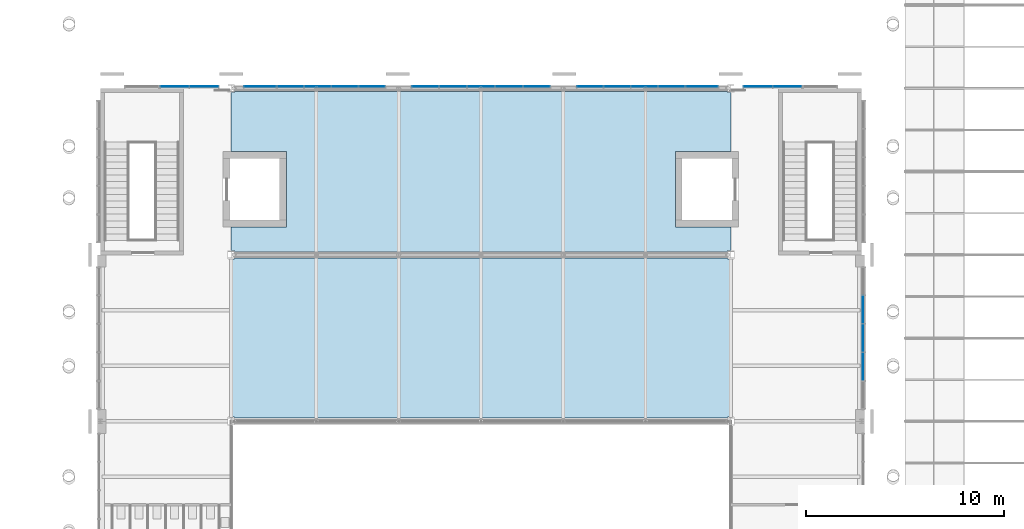
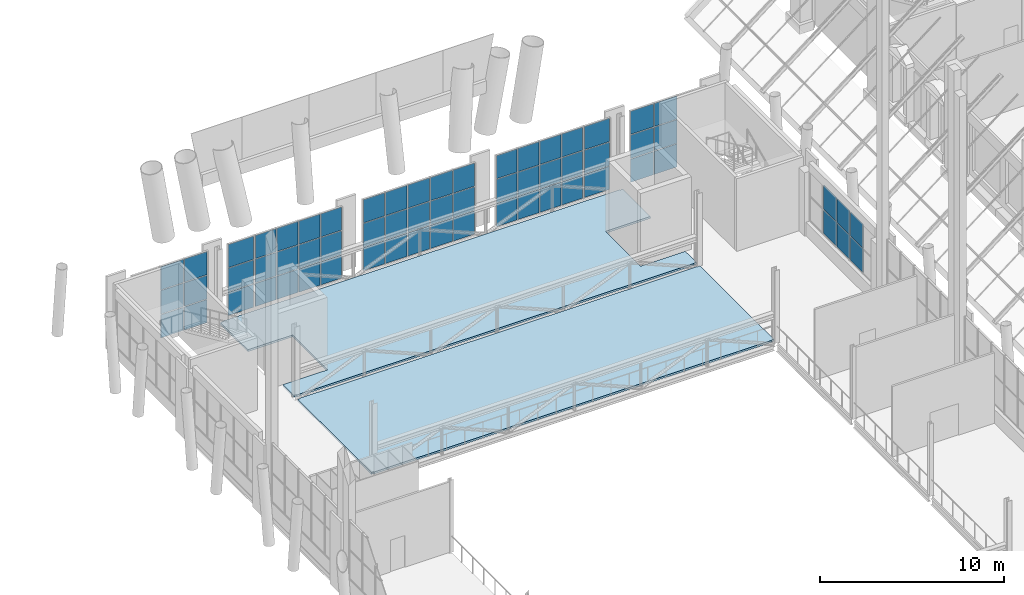
# One storey, part 44 of 76: 63 plates, 2 slabs, 8 elements without a shape of their own.
"""IFC4 building model written with IfcOpenShell, lengths in metres."""

import ifcopenshell
import ifcopenshell.guid

model = None  # the IFC model being written
_history = None  # IfcOwnerHistory: only IFC2X3 demands one
_inside = {}  # id of a spatial element -> (the spatial element, [elements in it])
_under = {}  # id of a project, library or spatial element -> (it, [spatial elements below it])
_declared = {}  # id of a project -> (the project, [libraries it declares])
_typed = {}  # id of a type object -> (the type object, [elements of that type])
_made_of = {}  # id of a material, layer set ... -> (it, [elements and type objects made of it])


def new_model(schema):
    """Start an empty IFC model of exactly this schema.

    Asked for "IFC4X3", IfcOpenShell would pick the latest addendum, in which some entities
    have other attributes; the version numbers below select the first issue.
    IFC2X3 requires an IfcOwnerHistory on every rooted entity: one is made here for all.
    """
    global model, _history
    if schema == "IFC4X3":
        model = ifcopenshell.file(schema_version=(4, 3, 0, 0))
    else:
        model = ifcopenshell.file(schema=schema)
    _inside.clear()
    _under.clear()
    _declared.clear()
    _typed.clear()
    _made_of.clear()
    _history = None
    if model.schema == "IFC2X3":
        org = make("IfcOrganization", Name="unknown")
        user = make(
            "IfcPersonAndOrganization",
            ThePerson=make("IfcPerson", FamilyName="unknown"),
            TheOrganization=org,
        )
        app = make(
            "IfcApplication",
            ApplicationDeveloper=org,
            Version="unknown",
            ApplicationFullName="unknown",
            ApplicationIdentifier="unknown",
        )
        _history = make(
            "IfcOwnerHistory",
            OwningUser=user,
            OwningApplication=app,
            ChangeAction="ADDED",
            CreationDate=0,
        )
    return model


def make(cls, **values):
    """One entity of the class cls with the attributes given. An attribute that is None is left unset."""
    return model.create_entity(
        cls, **{name: value for name, value in values.items() if value is not None}
    )


def rooted(cls, **values):
    """An entity with a GlobalId (a new one), such as an element, a storey or a relation."""
    return make(cls, GlobalId=ifcopenshell.guid.new(), OwnerHistory=_history, **values)


def si_unit(unit_type, name, prefix=None):
    """IfcSIUnit, for example si_unit("LENGTHUNIT", "METRE", prefix="MILLI")."""
    return make("IfcSIUnit", UnitType=unit_type, Prefix=prefix, Name=name)


def assignment(units):
    """IfcUnitAssignment: the units of a project."""
    return None if units is None else make("IfcUnitAssignment", Units=units)


def point(xyz):
    """IfcCartesianPoint."""
    return None if xyz is None else make("IfcCartesianPoint", Coordinates=xyz)


def direction(xyz):
    """IfcDirection."""
    return None if xyz is None else make("IfcDirection", DirectionRatios=xyz)


def frame(location, z_axis=None, x_axis=None):
    """IfcAxis2Placement3D, a coordinate frame: its origin and axes. An axis left out is left unset."""
    return make(
        "IfcAxis2Placement3D",
        Location=point(location),
        Axis=direction(z_axis),
        RefDirection=direction(x_axis),
    )


def frame_2d(location, x_axis=None):
    """IfcAxis2Placement2D, a coordinate frame in the plane: its origin and x axis."""
    return make(
        "IfcAxis2Placement2D", Location=point(location), RefDirection=direction(x_axis)
    )


def origin():
    """The frame at (0, 0, 0) with its axes left unset."""
    return frame((0.0, 0.0, 0.0))


def origin_2d():
    """The frame at (0, 0) in the plane with its x axis left unset."""
    return frame_2d((0.0, 0.0))


def place(relative_to, where):
    """IfcLocalPlacement: puts the frame where relative to a parent placement (None: the world)."""
    return make(
        "IfcLocalPlacement", PlacementRelTo=relative_to, RelativePlacement=where
    )


def context(
    kind, dimensions, precision=None, world=None, true_north=None, identifier=None
):
    """IfcGeometricRepresentationContext, for example the 3D "Model" context."""
    return make(
        "IfcGeometricRepresentationContext",
        ContextIdentifier=identifier,
        ContextType=kind,
        CoordinateSpaceDimension=dimensions,
        Precision=precision,
        WorldCoordinateSystem=world,
        TrueNorth=true_north,
    )


def subcontext(parent, identifier, kind, view, scale=None):
    """IfcGeometricRepresentationSubContext, for example "Body" below "Model"."""
    return make(
        "IfcGeometricRepresentationSubContext",
        ContextIdentifier=identifier,
        ContextType=kind,
        ParentContext=parent,
        TargetScale=scale,
        TargetView=view,
    )


def project(units=None, contexts=None):
    """IfcProject with its units and contexts."""
    return rooted(
        "IfcProject",
        Name="project",
        RepresentationContexts=contexts,
        UnitsInContext=assignment(units),
    )


def spatial(cls, under=None, at=None, **own):
    """A site, building, storey or space (cls), placed at a placement, below another one or the project."""
    s = rooted(cls, ObjectPlacement=at, **own)
    if under is not None:
        _under.setdefault(under.id(), (under, []))[1].append(s)
    return s


def polyline(points):
    """IfcPolyline through the points."""
    return make("IfcPolyline", Points=[point(p) for p in points])


def profile(cls, at=None, kind="AREA", **sizes):
    """A parametric profile (cls). Its sizes go by their IFC names, for example OverallWidth=200.0."""
    return make(cls, ProfileType=kind, Position=at, **sizes)


def rectangle(**sizes):
    """IfcRectangleProfileDef."""
    return profile("IfcRectangleProfileDef", **sizes)


def outline(outer, holes=None, kind="AREA"):
    """IfcArbitraryClosedProfileDef: a profile drawn as a closed curve; with holes, ...WithVoids."""
    if holes is None:
        return make("IfcArbitraryClosedProfileDef", ProfileType=kind, OuterCurve=outer)
    return make(
        "IfcArbitraryProfileDefWithVoids",
        ProfileType=kind,
        OuterCurve=outer,
        InnerCurves=holes,
    )


def extrude(swept, where, along, depth):
    """IfcExtrudedAreaSolid: the profile swept, set in the frame where, extruded along a direction by depth."""
    return make(
        "IfcExtrudedAreaSolid",
        SweptArea=swept,
        Position=where,
        ExtrudedDirection=direction(along),
        Depth=depth,
    )


def shape(context_of_items, identifier, shape_type, items):
    """IfcShapeRepresentation: the items that make up one representation, for example the "Body"."""
    return make(
        "IfcShapeRepresentation",
        ContextOfItems=context_of_items,
        RepresentationIdentifier=identifier,
        RepresentationType=shape_type,
        Items=items,
    )


def material(Name=None, Category=None):
    """IfcMaterial."""
    return make("IfcMaterial", Name=Name, Category=Category)


def layer(
    of_material, thickness, ventilated=None, Name=None, Category=None, Priority=None
):
    """IfcMaterialLayer: one layer of a wall or slab, of a material (None: an air gap)."""
    return make(
        "IfcMaterialLayer",
        Material=of_material,
        LayerThickness=thickness,
        IsVentilated=ventilated,
        Name=Name,
        Category=Category,
        Priority=Priority,
    )


def layer_set(layers, Name=None):
    """IfcMaterialLayerSet."""
    return make("IfcMaterialLayerSet", MaterialLayers=layers, LayerSetName=Name)


def made_of(thing, what):
    """Note that an element or type object is made of a material, layer set ...; save() writes the relation."""
    if what is not None:
        _made_of.setdefault(what.id(), (what, []))[1].append(thing)
    return thing


def type_object(cls, material=None, **own):
    """A type object (cls), such as IfcWallType, which elements share."""
    return made_of(rooted(cls, **own), material)


def element(
    cls,
    number,
    at=None,
    inside=None,
    cuts=None,
    type_object=None,
    material=None,
    context=None,
    identifier="Body",
    shape_type=None,
    held_by="IfcProductDefinitionShape",
    body=None,
    shapes=None,
    **own,
):
    """One element of the class cls, such as IfcWall. Its Tag is "e" and its number.

    at: its placement. inside: the storey or other place that contains it. cuts: it is an
    opening in that element (IfcRelVoidsElement). A single representation is given by context,
    identifier, shape_type and body (its items); several are given by shapes. held_by: the class
    of the entity that holds the representations. save() writes the other relations.
    """
    e = rooted(cls, Tag="e%d" % number, ObjectPlacement=at, **own)
    if body is not None:
        shapes = [shape(context, identifier, shape_type, body)]
    if shapes is not None:
        e.Representation = make(held_by, Representations=shapes)
    if inside is not None:
        _inside.setdefault(inside.id(), (inside, []))[1].append(e)
    if cuts is not None:
        rooted(
            "IfcRelVoidsElement", RelatingBuildingElement=cuts, RelatedOpeningElement=e
        )
    if type_object is not None:
        _typed.setdefault(type_object.id(), (type_object, []))[1].append(e)
    return made_of(e, material)


def aggregate(whole, parts):
    """IfcRelAggregates: a whole, such as a stair, and the parts it consists of."""
    return rooted("IfcRelAggregates", RelatingObject=whole, RelatedObjects=parts)


def save(model, path):
    """Write the relations noted so far, then the file.

    IfcRelAggregates (storeys below a building ...), IfcRelContainedInSpatialStructure (elements
    in a storey), IfcRelDefinesByType, IfcRelAssociatesMaterial and IfcRelDeclares: one each for
    every whole, place, type object, material and project.
    """
    for whole, parts in _under.values():
        aggregate(whole, parts)
    for where, things in _inside.values():
        rooted(
            "IfcRelContainedInSpatialStructure",
            RelatedElements=things,
            RelatingStructure=where,
        )
    for kind, things in _typed.values():
        rooted("IfcRelDefinesByType", RelatedObjects=things, RelatingType=kind)
    for what, things in _made_of.values():
        rooted("IfcRelAssociatesMaterial", RelatedObjects=things, RelatingMaterial=what)
    for by, libraries in _declared.values():
        rooted("IfcRelDeclares", RelatingContext=by, RelatedDefinitions=libraries)
    model.write(path)


model = new_model("IFC4")

# Units and contexts
model_context = context("Model", 3, precision=1e-05, world=origin(), true_north=direction((0.0, 1.0)))
body_context = subcontext(model_context, "Body", "Model", "MODEL_VIEW")
ifc_project = project(units=[si_unit("LENGTHUNIT", "METRE"), si_unit("AREAUNIT", "SQUARE_METRE"), si_unit("VOLUMEUNIT", "CUBIC_METRE"), si_unit("PLANEANGLEUNIT", "RADIAN"), si_unit("MASSUNIT", "GRAM", prefix="KILO")], contexts=[model_context])

# Site, building, storey
site_placement = place(None, origin())
site = spatial("IfcSite", under=ifc_project, at=site_placement, CompositionType="ELEMENT")
building_placement = place(site_placement, origin())
building = spatial("IfcBuilding", under=site, at=building_placement, Name="Sava Quay Ferry Terminal", CompositionType="ELEMENT")
storey_placement = place(building_placement, frame((0.0, 0.0, 6.0)))
storey = spatial("IfcBuildingStorey", under=building, at=storey_placement, Name="L01", CompositionType="ELEMENT", Elevation=6.0)

# Slabs
ifc_material_1 = material(Name="Concrete C30/37", Category="concrete")
ifc_layer_1 = layer(ifc_material_1, 0.1298828125)
ifc_layer_set_1 = layer_set([ifc_layer_1], Name="Concrete C30/37")
slab_type = type_object("IfcSlabType", Name="Composite floor slab 130", PredefinedType="FLOOR", material=ifc_layer_set_1)
slab_1_placement = place(storey_placement, frame((0.0, 0.0, -0.1298828125)))
element("IfcSlab", 1, at=slab_1_placement, inside=storey, type_object=slab_type, Name="D floor slab L01", PredefinedType="FLOOR", context=body_context, shape_type="SweptSolid", body=[
    extrude(outline(polyline([(75.43994140625, 84.2099609375), (75.43994140625, 84.169921875), (50.56005859375, 84.169921875), (50.56005859375, 84.2099609375), (50.39990234375, 84.2099609375), (50.39990234375, 92.18994140625), (50.56005859375, 92.18994140625), (50.56005859375, 92.22998046875), (75.43994140625, 92.22998046875), (75.43994140625, 92.18994140625), (75.60009765625, 92.18994140625), (75.60009765625, 84.2099609375), (75.43994140625, 84.2099609375)])), origin(), (0.0, 0.0, 1.0), 0.1298828125),
])
slab_2_placement = place(storey_placement, frame((0.0, 0.0, -0.1298828125)))
element("IfcSlab", 2, at=slab_2_placement, inside=storey, type_object=slab_type, Name="D floor slab L01", PredefinedType="FLOOR", context=body_context, shape_type="SweptSolid", body=[
    extrude(outline(polyline([(75.43994140625, 92.610107421875), (75.43994140625, 92.570068359375), (50.56005859375, 92.570068359375), (50.56005859375, 92.610107421875), (50.39990234375, 92.610107421875), (50.39990234375, 93.800048828125), (53.199951171875, 93.800048828125), (53.199951171875, 97.60009765625), (50.39990234375, 97.60009765625), (50.39990234375, 100.590087890625), (50.56005859375, 100.590087890625), (50.56005859375, 100.6298828125), (75.43994140625, 100.6298828125), (75.43994140625, 100.590087890625), (75.60009765625, 100.590087890625), (75.60009765625, 97.60009765625), (72.800048828125, 97.60009765625), (72.800048828125, 93.800048828125), (75.60009765625, 93.800048828125), (75.60009765625, 92.610107421875), (75.43994140625, 92.610107421875)])), origin(), (0.0, 0.0, 1.0), 0.1298828125),
])

# Curtain wall, plates
ifc_material_2 = material(Name="Aluminium and glass curtain wall, double low-e glazed", Category="aluminium")
curtain_wall_type_1 = type_object("IfcCurtainWallType", Name="Curtain wall CW-F flank", PredefinedType="NOTDEFINED", material=ifc_material_2)
curtain_wall_1_placement = place(storey_placement, origin())
curtain_wall_1 = element("IfcCurtainWall", 3, at=curtain_wall_1_placement, inside=storey, type_object=curtain_wall_type_1, Name="Curtain wall D-E L01 bay 5", PredefinedType="NOTDEFINED")
ifc_material_3 = material(Name="Laminated glass, double low-e glazed unit", Category="glass")
ifc_layer_2 = layer(ifc_material_3, 0.028076171875)
ifc_layer_set_2 = layer_set([ifc_layer_2], Name="Laminated glass, double low-e glazed unit")
plate_type = type_object("IfcPlateType", Name="Glass panel 28 double low-e", PredefinedType="CURTAIN_PANEL", material=ifc_layer_set_2)
plate_1_placement = place(storey_placement, frame((82.27490234375, 86.760009765625, 0.9501953125), z_axis=(0.0, 0.0, 1.0), x_axis=(0.0, 1.0, 0.0)))
plate_1 = element("IfcPlate", 4, at=plate_1_placement, type_object=plate_type, Name="CW52 panel 2.1", PredefinedType="CURTAIN_PANEL", context=body_context, shape_type="SweptSolid", body=[
    extrude(rectangle(XDim=1.3798828125, YDim=0.028076171875, at=origin_2d()), origin(), (0.0, 0.0, 1.0), 1.574951171875),
])
plate_2_placement = place(storey_placement, frame((82.27490234375, 86.760009765625, 2.5751953125), z_axis=(0.0, 0.0, 1.0), x_axis=(0.0, 1.0, 0.0)))
plate_2 = element("IfcPlate", 5, at=plate_2_placement, type_object=plate_type, Name="CW52 panel 2.2", PredefinedType="CURTAIN_PANEL", context=body_context, shape_type="SweptSolid", body=[
    extrude(rectangle(XDim=1.3798828125, YDim=0.028076171875, at=origin_2d()), origin(), (0.0, 0.0, 1.0), 1.574951171875),
])
plate_3_placement = place(storey_placement, frame((82.27490234375, 88.199951171875, 0.9501953125), z_axis=(0.0, 0.0, 1.0), x_axis=(0.0, 1.0, 0.0)))
plate_3 = element("IfcPlate", 6, at=plate_3_placement, type_object=plate_type, Name="CW52 panel 3.1", PredefinedType="CURTAIN_PANEL", context=body_context, shape_type="SweptSolid", body=[
    extrude(rectangle(XDim=1.3798828125, YDim=0.028076171875, at=origin_2d()), origin(), (0.0, 0.0, 1.0), 1.574951171875),
])
plate_4_placement = place(storey_placement, frame((82.27490234375, 88.199951171875, 2.5751953125), z_axis=(0.0, 0.0, 1.0), x_axis=(0.0, 1.0, 0.0)))
plate_4 = element("IfcPlate", 7, at=plate_4_placement, type_object=plate_type, Name="CW52 panel 3.2", PredefinedType="CURTAIN_PANEL", context=body_context, shape_type="SweptSolid", body=[
    extrude(rectangle(XDim=1.3798828125, YDim=0.028076171875, at=origin_2d()), origin(), (0.0, 0.0, 1.0), 1.574951171875),
])
plate_5_placement = place(storey_placement, frame((82.27490234375, 89.639892578125, 0.9501953125), z_axis=(0.0, 0.0, 1.0), x_axis=(0.0, 1.0, 0.0)))
plate_5 = element("IfcPlate", 8, at=plate_5_placement, type_object=plate_type, Name="CW52 panel 4.1", PredefinedType="CURTAIN_PANEL", context=body_context, shape_type="SweptSolid", body=[
    extrude(rectangle(XDim=1.3798828125, YDim=0.028076171875, at=origin_2d()), origin(), (0.0, 0.0, 1.0), 1.574951171875),
])
plate_6_placement = place(storey_placement, frame((82.27490234375, 89.639892578125, 2.5751953125), z_axis=(0.0, 0.0, 1.0), x_axis=(0.0, 1.0, 0.0)))
plate_6 = element("IfcPlate", 9, at=plate_6_placement, type_object=plate_type, Name="CW52 panel 4.2", PredefinedType="CURTAIN_PANEL", context=body_context, shape_type="SweptSolid", body=[
    extrude(rectangle(XDim=1.3798828125, YDim=0.028076171875, at=origin_2d()), origin(), (0.0, 0.0, 1.0), 1.574951171875),
])
aggregate(curtain_wall_1, [plate_1, plate_2, plate_3, plate_4, plate_5, plate_6])

ifc_material_4 = material(Name="Aluminium and glass curtain wall, double low-e glazed", Category="aluminium")
curtain_wall_type_2 = type_object("IfcCurtainWallType", Name="Curtain wall CW-G gable", PredefinedType="NOTDEFINED", material=ifc_material_4)
curtain_wall_2_placement = place(storey_placement, origin())
curtain_wall_2 = element("IfcCurtainWall", 10, at=curtain_wall_2_placement, inside=storey, type_object=curtain_wall_type_2, Name="Curtain wall D-N L01 bay 11", PredefinedType="NOTDEFINED")
plate_7_placement = place(storey_placement, frame((47.550048828125, 100.885009765625, 0.050048828125), z_axis=(0.0, 0.0, 1.0), x_axis=(1.0, 0.0, 0.0)))
plate_7 = element("IfcPlate", 11, at=plate_7_placement, type_object=plate_type, Name="CW58 panel 1.1", PredefinedType="CURTAIN_PANEL", context=body_context, shape_type="SweptSolid", body=[
    extrude(rectangle(XDim=1.419921875, YDim=0.028076171875, at=origin_2d()), origin(), (0.0, 0.0, 1.0), 1.52490234375),
])
plate_8_placement = place(storey_placement, frame((47.550048828125, 100.885009765625, 1.625), z_axis=(0.0, 0.0, 1.0), x_axis=(1.0, 0.0, 0.0)))
plate_8 = element("IfcPlate", 12, at=plate_8_placement, type_object=plate_type, Name="CW58 panel 1.2", PredefinedType="CURTAIN_PANEL", context=body_context, shape_type="SweptSolid", body=[
    extrude(rectangle(XDim=1.419921875, YDim=0.028076171875, at=origin_2d()), origin(), (0.0, 0.0, 1.0), 1.550048828125),
])
plate_9_placement = place(storey_placement, frame((47.550048828125, 100.885009765625, 3.22509765625), z_axis=(0.0, 0.0, 1.0), x_axis=(1.0, 0.0, 0.0)))
plate_9 = element("IfcPlate", 13, at=plate_9_placement, type_object=plate_type, Name="CW58 panel 1.3", PredefinedType="CURTAIN_PANEL", context=body_context, shape_type="SweptSolid", body=[
    extrude(rectangle(XDim=1.419921875, YDim=0.028076171875, at=origin_2d()), origin(), (0.0, 0.0, 1.0), 1.52490234375),
])
plate_10_placement = place(storey_placement, frame((49.030029296875, 100.885009765625, 0.050048828125), z_axis=(0.0, 0.0, 1.0), x_axis=(1.0, 0.0, 0.0)))
plate_10 = element("IfcPlate", 14, at=plate_10_placement, type_object=plate_type, Name="CW58 panel 2.1", PredefinedType="CURTAIN_PANEL", context=body_context, shape_type="SweptSolid", body=[
    extrude(rectangle(XDim=1.419921875, YDim=0.028076171875, at=origin_2d()), origin(), (0.0, 0.0, 1.0), 1.52490234375),
])
plate_11_placement = place(storey_placement, frame((49.030029296875, 100.885009765625, 1.625), z_axis=(0.0, 0.0, 1.0), x_axis=(1.0, 0.0, 0.0)))
plate_11 = element("IfcPlate", 15, at=plate_11_placement, type_object=plate_type, Name="CW58 panel 2.2", PredefinedType="CURTAIN_PANEL", context=body_context, shape_type="SweptSolid", body=[
    extrude(rectangle(XDim=1.419921875, YDim=0.028076171875, at=origin_2d()), origin(), (0.0, 0.0, 1.0), 1.550048828125),
])
plate_12_placement = place(storey_placement, frame((49.030029296875, 100.885009765625, 3.22509765625), z_axis=(0.0, 0.0, 1.0), x_axis=(1.0, 0.0, 0.0)))
plate_12 = element("IfcPlate", 16, at=plate_12_placement, type_object=plate_type, Name="CW58 panel 2.3", PredefinedType="CURTAIN_PANEL", context=body_context, shape_type="SweptSolid", body=[
    extrude(rectangle(XDim=1.419921875, YDim=0.028076171875, at=origin_2d()), origin(), (0.0, 0.0, 1.0), 1.52490234375),
])
aggregate(curtain_wall_2, [plate_7, plate_8, plate_9, plate_10, plate_11, plate_12])

curtain_wall_3_placement = place(storey_placement, origin())
curtain_wall_3 = element("IfcCurtainWall", 17, at=curtain_wall_3_placement, inside=storey, type_object=curtain_wall_type_2, Name="Curtain wall D-N L01 bay 12", PredefinedType="NOTDEFINED")
plate_13_placement = place(storey_placement, frame((51.85009765625, 100.885009765625, 0.050048828125), z_axis=(0.0, 0.0, 1.0), x_axis=(1.0, 0.0, 0.0)))
plate_13 = element("IfcPlate", 18, at=plate_13_placement, type_object=plate_type, Name="CW62 panel 1.1", PredefinedType="CURTAIN_PANEL", context=body_context, shape_type="SweptSolid", body=[
    extrude(rectangle(XDim=1.580078125, YDim=0.028076171875, at=origin_2d()), origin(), (0.0, 0.0, 1.0), 1.52490234375),
])
plate_14_placement = place(storey_placement, frame((51.85009765625, 100.885009765625, 1.625), z_axis=(0.0, 0.0, 1.0), x_axis=(1.0, 0.0, 0.0)))
plate_14 = element("IfcPlate", 19, at=plate_14_placement, type_object=plate_type, Name="CW62 panel 1.2", PredefinedType="CURTAIN_PANEL", context=body_context, shape_type="SweptSolid", body=[
    extrude(rectangle(XDim=1.580078125, YDim=0.028076171875, at=origin_2d()), origin(), (0.0, 0.0, 1.0), 1.550048828125),
])
plate_15_placement = place(storey_placement, frame((51.85009765625, 100.885009765625, 3.22509765625), z_axis=(0.0, 0.0, 1.0), x_axis=(1.0, 0.0, 0.0)))
plate_15 = element("IfcPlate", 20, at=plate_15_placement, type_object=plate_type, Name="CW62 panel 1.3", PredefinedType="CURTAIN_PANEL", context=body_context, shape_type="SweptSolid", body=[
    extrude(rectangle(XDim=1.580078125, YDim=0.028076171875, at=origin_2d()), origin(), (0.0, 0.0, 1.0), 1.52490234375),
])
aggregate(curtain_wall_3, [plate_13, plate_14, plate_15])

curtain_wall_4_placement = place(storey_placement, origin())
curtain_wall_4 = element("IfcCurtainWall", 21, at=curtain_wall_4_placement, inside=storey, type_object=curtain_wall_type_2, Name="Curtain wall D-N L01 bay 21", PredefinedType="NOTDEFINED")
plate_16_placement = place(storey_placement, frame((53.402587890625, 100.885009765625, 0.050048828125), z_axis=(0.0, 0.0, 1.0), x_axis=(1.0, 0.0, 0.0)))
plate_16 = element("IfcPlate", 22, at=plate_16_placement, type_object=plate_type, Name="CW66 panel 1.1", PredefinedType="CURTAIN_PANEL", context=body_context, shape_type="SweptSolid", body=[
    extrude(rectangle(XDim=1.284912109375, YDim=0.028076171875, at=origin_2d()), origin(), (0.0, 0.0, 1.0), 1.52490234375),
])
plate_17_placement = place(storey_placement, frame((53.402587890625, 100.885009765625, 1.625), z_axis=(0.0, 0.0, 1.0), x_axis=(1.0, 0.0, 0.0)))
plate_17 = element("IfcPlate", 23, at=plate_17_placement, type_object=plate_type, Name="CW66 panel 1.2", PredefinedType="CURTAIN_PANEL", context=body_context, shape_type="SweptSolid", body=[
    extrude(rectangle(XDim=1.284912109375, YDim=0.028076171875, at=origin_2d()), origin(), (0.0, 0.0, 1.0), 1.550048828125),
])
plate_18_placement = place(storey_placement, frame((53.402587890625, 100.885009765625, 3.22509765625), z_axis=(0.0, 0.0, 1.0), x_axis=(1.0, 0.0, 0.0)))
plate_18 = element("IfcPlate", 24, at=plate_18_placement, type_object=plate_type, Name="CW66 panel 1.3", PredefinedType="CURTAIN_PANEL", context=body_context, shape_type="SweptSolid", body=[
    extrude(rectangle(XDim=1.284912109375, YDim=0.028076171875, at=origin_2d()), origin(), (0.0, 0.0, 1.0), 1.52490234375),
])
plate_19_placement = place(storey_placement, frame((54.762451171875, 100.885009765625, 0.050048828125), z_axis=(0.0, 0.0, 1.0), x_axis=(1.0, 0.0, 0.0)))
plate_19 = element("IfcPlate", 25, at=plate_19_placement, type_object=plate_type, Name="CW66 panel 2.1", PredefinedType="CURTAIN_PANEL", context=body_context, shape_type="SweptSolid", body=[
    extrude(rectangle(XDim=1.31494140625, YDim=0.028076171875, at=origin_2d()), origin(), (0.0, 0.0, 1.0), 1.52490234375),
])
plate_20_placement = place(storey_placement, frame((54.762451171875, 100.885009765625, 1.625), z_axis=(0.0, 0.0, 1.0), x_axis=(1.0, 0.0, 0.0)))
plate_20 = element("IfcPlate", 26, at=plate_20_placement, type_object=plate_type, Name="CW66 panel 2.2", PredefinedType="CURTAIN_PANEL", context=body_context, shape_type="SweptSolid", body=[
    extrude(rectangle(XDim=1.31494140625, YDim=0.028076171875, at=origin_2d()), origin(), (0.0, 0.0, 1.0), 1.550048828125),
])
plate_21_placement = place(storey_placement, frame((54.762451171875, 100.885009765625, 3.22509765625), z_axis=(0.0, 0.0, 1.0), x_axis=(1.0, 0.0, 0.0)))
plate_21 = element("IfcPlate", 27, at=plate_21_placement, type_object=plate_type, Name="CW66 panel 2.3", PredefinedType="CURTAIN_PANEL", context=body_context, shape_type="SweptSolid", body=[
    extrude(rectangle(XDim=1.31494140625, YDim=0.028076171875, at=origin_2d()), origin(), (0.0, 0.0, 1.0), 1.52490234375),
])
plate_22_placement = place(storey_placement, frame((56.137451171875, 100.885009765625, 0.050048828125), z_axis=(0.0, 0.0, 1.0), x_axis=(1.0, 0.0, 0.0)))
plate_22 = element("IfcPlate", 28, at=plate_22_placement, type_object=plate_type, Name="CW66 panel 3.1", PredefinedType="CURTAIN_PANEL", context=body_context, shape_type="SweptSolid", body=[
    extrude(rectangle(XDim=1.31494140625, YDim=0.028076171875, at=origin_2d()), origin(), (0.0, 0.0, 1.0), 1.52490234375),
])
plate_23_placement = place(storey_placement, frame((56.137451171875, 100.885009765625, 1.625), z_axis=(0.0, 0.0, 1.0), x_axis=(1.0, 0.0, 0.0)))
plate_23 = element("IfcPlate", 29, at=plate_23_placement, type_object=plate_type, Name="CW66 panel 3.2", PredefinedType="CURTAIN_PANEL", context=body_context, shape_type="SweptSolid", body=[
    extrude(rectangle(XDim=1.31494140625, YDim=0.028076171875, at=origin_2d()), origin(), (0.0, 0.0, 1.0), 1.550048828125),
])
plate_24_placement = place(storey_placement, frame((56.137451171875, 100.885009765625, 3.22509765625), z_axis=(0.0, 0.0, 1.0), x_axis=(1.0, 0.0, 0.0)))
plate_24 = element("IfcPlate", 30, at=plate_24_placement, type_object=plate_type, Name="CW66 panel 3.3", PredefinedType="CURTAIN_PANEL", context=body_context, shape_type="SweptSolid", body=[
    extrude(rectangle(XDim=1.31494140625, YDim=0.028076171875, at=origin_2d()), origin(), (0.0, 0.0, 1.0), 1.52490234375),
])
plate_25_placement = place(storey_placement, frame((57.49755859375, 100.885009765625, 0.050048828125), z_axis=(0.0, 0.0, 1.0), x_axis=(1.0, 0.0, 0.0)))
plate_25 = element("IfcPlate", 31, at=plate_25_placement, type_object=plate_type, Name="CW66 panel 4.1", PredefinedType="CURTAIN_PANEL", context=body_context, shape_type="SweptSolid", body=[
    extrude(rectangle(XDim=1.284912109375, YDim=0.028076171875, at=origin_2d()), origin(), (0.0, 0.0, 1.0), 1.52490234375),
])
plate_26_placement = place(storey_placement, frame((57.49755859375, 100.885009765625, 1.625), z_axis=(0.0, 0.0, 1.0), x_axis=(1.0, 0.0, 0.0)))
plate_26 = element("IfcPlate", 32, at=plate_26_placement, type_object=plate_type, Name="CW66 panel 4.2", PredefinedType="CURTAIN_PANEL", context=body_context, shape_type="SweptSolid", body=[
    extrude(rectangle(XDim=1.284912109375, YDim=0.028076171875, at=origin_2d()), origin(), (0.0, 0.0, 1.0), 1.550048828125),
])
plate_27_placement = place(storey_placement, frame((57.49755859375, 100.885009765625, 3.22509765625), z_axis=(0.0, 0.0, 1.0), x_axis=(1.0, 0.0, 0.0)))
plate_27 = element("IfcPlate", 33, at=plate_27_placement, type_object=plate_type, Name="CW66 panel 4.3", PredefinedType="CURTAIN_PANEL", context=body_context, shape_type="SweptSolid", body=[
    extrude(rectangle(XDim=1.284912109375, YDim=0.028076171875, at=origin_2d()), origin(), (0.0, 0.0, 1.0), 1.52490234375),
])
aggregate(curtain_wall_4, [plate_16, plate_17, plate_18, plate_19, plate_20, plate_21, plate_22, plate_23, plate_24, plate_25, plate_26, plate_27])

curtain_wall_5_placement = place(storey_placement, origin())
curtain_wall_5 = element("IfcCurtainWall", 34, at=curtain_wall_5_placement, inside=storey, type_object=curtain_wall_type_2, Name="Curtain wall D-N L01 bay 31", PredefinedType="NOTDEFINED")
plate_28_placement = place(storey_placement, frame((60.19091796875, 100.885009765625, 0.050048828125), z_axis=(0.0, 0.0, 1.0), x_axis=(1.0, 0.0, 0.0)))
plate_28 = element("IfcPlate", 35, at=plate_28_placement, type_object=plate_type, Name="CW70 panel 1.1", PredefinedType="CURTAIN_PANEL", context=body_context, shape_type="SweptSolid", body=[
    extrude(rectangle(XDim=1.322021484375, YDim=0.028076171875, at=origin_2d()), origin(), (0.0, 0.0, 1.0), 1.52490234375),
])
plate_29_placement = place(storey_placement, frame((60.19091796875, 100.885009765625, 1.625), z_axis=(0.0, 0.0, 1.0), x_axis=(1.0, 0.0, 0.0)))
plate_29 = element("IfcPlate", 36, at=plate_29_placement, type_object=plate_type, Name="CW70 panel 1.2", PredefinedType="CURTAIN_PANEL", context=body_context, shape_type="SweptSolid", body=[
    extrude(rectangle(XDim=1.322021484375, YDim=0.028076171875, at=origin_2d()), origin(), (0.0, 0.0, 1.0), 1.550048828125),
])
plate_30_placement = place(storey_placement, frame((60.19091796875, 100.885009765625, 3.22509765625), z_axis=(0.0, 0.0, 1.0), x_axis=(1.0, 0.0, 0.0)))
plate_30 = element("IfcPlate", 37, at=plate_30_placement, type_object=plate_type, Name="CW70 panel 1.3", PredefinedType="CURTAIN_PANEL", context=body_context, shape_type="SweptSolid", body=[
    extrude(rectangle(XDim=1.322021484375, YDim=0.028076171875, at=origin_2d()), origin(), (0.0, 0.0, 1.0), 1.52490234375),
])
plate_31_placement = place(storey_placement, frame((61.587890625, 100.885009765625, 0.050048828125), z_axis=(0.0, 0.0, 1.0), x_axis=(1.0, 0.0, 0.0)))
plate_31 = element("IfcPlate", 38, at=plate_31_placement, type_object=plate_type, Name="CW70 panel 2.1", PredefinedType="CURTAIN_PANEL", context=body_context, shape_type="SweptSolid", body=[
    extrude(rectangle(XDim=1.35205078125, YDim=0.028076171875, at=origin_2d()), origin(), (0.0, 0.0, 1.0), 1.52490234375),
])
plate_32_placement = place(storey_placement, frame((61.587890625, 100.885009765625, 1.625), z_axis=(0.0, 0.0, 1.0), x_axis=(1.0, 0.0, 0.0)))
plate_32 = element("IfcPlate", 39, at=plate_32_placement, type_object=plate_type, Name="CW70 panel 2.2", PredefinedType="CURTAIN_PANEL", context=body_context, shape_type="SweptSolid", body=[
    extrude(rectangle(XDim=1.35205078125, YDim=0.028076171875, at=origin_2d()), origin(), (0.0, 0.0, 1.0), 1.550048828125),
])
plate_33_placement = place(storey_placement, frame((61.587890625, 100.885009765625, 3.22509765625), z_axis=(0.0, 0.0, 1.0), x_axis=(1.0, 0.0, 0.0)))
plate_33 = element("IfcPlate", 40, at=plate_33_placement, type_object=plate_type, Name="CW70 panel 2.3", PredefinedType="CURTAIN_PANEL", context=body_context, shape_type="SweptSolid", body=[
    extrude(rectangle(XDim=1.35205078125, YDim=0.028076171875, at=origin_2d()), origin(), (0.0, 0.0, 1.0), 1.52490234375),
])
plate_34_placement = place(storey_placement, frame((63.0, 100.885009765625, 0.050048828125), z_axis=(0.0, 0.0, 1.0), x_axis=(1.0, 0.0, 0.0)))
plate_34 = element("IfcPlate", 41, at=plate_34_placement, type_object=plate_type, Name="CW70 panel 3.1", PredefinedType="CURTAIN_PANEL", context=body_context, shape_type="SweptSolid", body=[
    extrude(rectangle(XDim=1.35205078125, YDim=0.028076171875, at=origin_2d()), origin(), (0.0, 0.0, 1.0), 1.52490234375),
])
plate_35_placement = place(storey_placement, frame((63.0, 100.885009765625, 1.625), z_axis=(0.0, 0.0, 1.0), x_axis=(1.0, 0.0, 0.0)))
plate_35 = element("IfcPlate", 42, at=plate_35_placement, type_object=plate_type, Name="CW70 panel 3.2", PredefinedType="CURTAIN_PANEL", context=body_context, shape_type="SweptSolid", body=[
    extrude(rectangle(XDim=1.35205078125, YDim=0.028076171875, at=origin_2d()), origin(), (0.0, 0.0, 1.0), 1.550048828125),
])
plate_36_placement = place(storey_placement, frame((63.0, 100.885009765625, 3.22509765625), z_axis=(0.0, 0.0, 1.0), x_axis=(1.0, 0.0, 0.0)))
plate_36 = element("IfcPlate", 43, at=plate_36_placement, type_object=plate_type, Name="CW70 panel 3.3", PredefinedType="CURTAIN_PANEL", context=body_context, shape_type="SweptSolid", body=[
    extrude(rectangle(XDim=1.35205078125, YDim=0.028076171875, at=origin_2d()), origin(), (0.0, 0.0, 1.0), 1.52490234375),
])
plate_37_placement = place(storey_placement, frame((64.412109375, 100.885009765625, 0.050048828125), z_axis=(0.0, 0.0, 1.0), x_axis=(1.0, 0.0, 0.0)))
plate_37 = element("IfcPlate", 44, at=plate_37_placement, type_object=plate_type, Name="CW70 panel 4.1", PredefinedType="CURTAIN_PANEL", context=body_context, shape_type="SweptSolid", body=[
    extrude(rectangle(XDim=1.35205078125, YDim=0.028076171875, at=origin_2d()), origin(), (0.0, 0.0, 1.0), 1.52490234375),
])
plate_38_placement = place(storey_placement, frame((64.412109375, 100.885009765625, 1.625), z_axis=(0.0, 0.0, 1.0), x_axis=(1.0, 0.0, 0.0)))
plate_38 = element("IfcPlate", 45, at=plate_38_placement, type_object=plate_type, Name="CW70 panel 4.2", PredefinedType="CURTAIN_PANEL", context=body_context, shape_type="SweptSolid", body=[
    extrude(rectangle(XDim=1.35205078125, YDim=0.028076171875, at=origin_2d()), origin(), (0.0, 0.0, 1.0), 1.550048828125),
])
plate_39_placement = place(storey_placement, frame((64.412109375, 100.885009765625, 3.22509765625), z_axis=(0.0, 0.0, 1.0), x_axis=(1.0, 0.0, 0.0)))
plate_39 = element("IfcPlate", 46, at=plate_39_placement, type_object=plate_type, Name="CW70 panel 4.3", PredefinedType="CURTAIN_PANEL", context=body_context, shape_type="SweptSolid", body=[
    extrude(rectangle(XDim=1.35205078125, YDim=0.028076171875, at=origin_2d()), origin(), (0.0, 0.0, 1.0), 1.52490234375),
])
plate_40_placement = place(storey_placement, frame((65.80908203125, 100.885009765625, 0.050048828125), z_axis=(0.0, 0.0, 1.0), x_axis=(1.0, 0.0, 0.0)))
plate_40 = element("IfcPlate", 47, at=plate_40_placement, type_object=plate_type, Name="CW70 panel 5.1", PredefinedType="CURTAIN_PANEL", context=body_context, shape_type="SweptSolid", body=[
    extrude(rectangle(XDim=1.322021484375, YDim=0.028076171875, at=origin_2d()), origin(), (0.0, 0.0, 1.0), 1.52490234375),
])
plate_41_placement = place(storey_placement, frame((65.80908203125, 100.885009765625, 1.625), z_axis=(0.0, 0.0, 1.0), x_axis=(1.0, 0.0, 0.0)))
plate_41 = element("IfcPlate", 48, at=plate_41_placement, type_object=plate_type, Name="CW70 panel 5.2", PredefinedType="CURTAIN_PANEL", context=body_context, shape_type="SweptSolid", body=[
    extrude(rectangle(XDim=1.322021484375, YDim=0.028076171875, at=origin_2d()), origin(), (0.0, 0.0, 1.0), 1.550048828125),
])
plate_42_placement = place(storey_placement, frame((65.80908203125, 100.885009765625, 3.22509765625), z_axis=(0.0, 0.0, 1.0), x_axis=(1.0, 0.0, 0.0)))
plate_42 = element("IfcPlate", 49, at=plate_42_placement, type_object=plate_type, Name="CW70 panel 5.3", PredefinedType="CURTAIN_PANEL", context=body_context, shape_type="SweptSolid", body=[
    extrude(rectangle(XDim=1.322021484375, YDim=0.028076171875, at=origin_2d()), origin(), (0.0, 0.0, 1.0), 1.52490234375),
])
aggregate(curtain_wall_5, [plate_28, plate_29, plate_30, plate_31, plate_32, plate_33, plate_34, plate_35, plate_36, plate_37, plate_38, plate_39, plate_40, plate_41, plate_42])

curtain_wall_6_placement = place(storey_placement, origin())
curtain_wall_6 = element("IfcCurtainWall", 50, at=curtain_wall_6_placement, inside=storey, type_object=curtain_wall_type_2, Name="Curtain wall D-N L01 bay 41", PredefinedType="NOTDEFINED")
plate_43_placement = place(storey_placement, frame((68.50244140625, 100.885009765625, 0.050048828125), z_axis=(0.0, 0.0, 1.0), x_axis=(1.0, 0.0, 0.0)))
plate_43 = element("IfcPlate", 51, at=plate_43_placement, type_object=plate_type, Name="CW74 panel 1.1", PredefinedType="CURTAIN_PANEL", context=body_context, shape_type="SweptSolid", body=[
    extrude(rectangle(XDim=1.284912109375, YDim=0.028076171875, at=origin_2d()), origin(), (0.0, 0.0, 1.0), 1.52490234375),
])
plate_44_placement = place(storey_placement, frame((68.50244140625, 100.885009765625, 1.625), z_axis=(0.0, 0.0, 1.0), x_axis=(1.0, 0.0, 0.0)))
plate_44 = element("IfcPlate", 52, at=plate_44_placement, type_object=plate_type, Name="CW74 panel 1.2", PredefinedType="CURTAIN_PANEL", context=body_context, shape_type="SweptSolid", body=[
    extrude(rectangle(XDim=1.284912109375, YDim=0.028076171875, at=origin_2d()), origin(), (0.0, 0.0, 1.0), 1.550048828125),
])
plate_45_placement = place(storey_placement, frame((68.50244140625, 100.885009765625, 3.22509765625), z_axis=(0.0, 0.0, 1.0), x_axis=(1.0, 0.0, 0.0)))
plate_45 = element("IfcPlate", 53, at=plate_45_placement, type_object=plate_type, Name="CW74 panel 1.3", PredefinedType="CURTAIN_PANEL", context=body_context, shape_type="SweptSolid", body=[
    extrude(rectangle(XDim=1.284912109375, YDim=0.028076171875, at=origin_2d()), origin(), (0.0, 0.0, 1.0), 1.52490234375),
])
plate_46_placement = place(storey_placement, frame((69.862548828125, 100.885009765625, 0.050048828125), z_axis=(0.0, 0.0, 1.0), x_axis=(1.0, 0.0, 0.0)))
plate_46 = element("IfcPlate", 54, at=plate_46_placement, type_object=plate_type, Name="CW74 panel 2.1", PredefinedType="CURTAIN_PANEL", context=body_context, shape_type="SweptSolid", body=[
    extrude(rectangle(XDim=1.31494140625, YDim=0.028076171875, at=origin_2d()), origin(), (0.0, 0.0, 1.0), 1.52490234375),
])
plate_47_placement = place(storey_placement, frame((69.862548828125, 100.885009765625, 1.625), z_axis=(0.0, 0.0, 1.0), x_axis=(1.0, 0.0, 0.0)))
plate_47 = element("IfcPlate", 55, at=plate_47_placement, type_object=plate_type, Name="CW74 panel 2.2", PredefinedType="CURTAIN_PANEL", context=body_context, shape_type="SweptSolid", body=[
    extrude(rectangle(XDim=1.31494140625, YDim=0.028076171875, at=origin_2d()), origin(), (0.0, 0.0, 1.0), 1.550048828125),
])
plate_48_placement = place(storey_placement, frame((69.862548828125, 100.885009765625, 3.22509765625), z_axis=(0.0, 0.0, 1.0), x_axis=(1.0, 0.0, 0.0)))
plate_48 = element("IfcPlate", 56, at=plate_48_placement, type_object=plate_type, Name="CW74 panel 2.3", PredefinedType="CURTAIN_PANEL", context=body_context, shape_type="SweptSolid", body=[
    extrude(rectangle(XDim=1.31494140625, YDim=0.028076171875, at=origin_2d()), origin(), (0.0, 0.0, 1.0), 1.52490234375),
])
plate_49_placement = place(storey_placement, frame((71.237548828125, 100.885009765625, 0.050048828125), z_axis=(0.0, 0.0, 1.0), x_axis=(1.0, 0.0, 0.0)))
plate_49 = element("IfcPlate", 57, at=plate_49_placement, type_object=plate_type, Name="CW74 panel 3.1", PredefinedType="CURTAIN_PANEL", context=body_context, shape_type="SweptSolid", body=[
    extrude(rectangle(XDim=1.31494140625, YDim=0.028076171875, at=origin_2d()), origin(), (0.0, 0.0, 1.0), 1.52490234375),
])
plate_50_placement = place(storey_placement, frame((71.237548828125, 100.885009765625, 1.625), z_axis=(0.0, 0.0, 1.0), x_axis=(1.0, 0.0, 0.0)))
plate_50 = element("IfcPlate", 58, at=plate_50_placement, type_object=plate_type, Name="CW74 panel 3.2", PredefinedType="CURTAIN_PANEL", context=body_context, shape_type="SweptSolid", body=[
    extrude(rectangle(XDim=1.31494140625, YDim=0.028076171875, at=origin_2d()), origin(), (0.0, 0.0, 1.0), 1.550048828125),
])
plate_51_placement = place(storey_placement, frame((71.237548828125, 100.885009765625, 3.22509765625), z_axis=(0.0, 0.0, 1.0), x_axis=(1.0, 0.0, 0.0)))
plate_51 = element("IfcPlate", 59, at=plate_51_placement, type_object=plate_type, Name="CW74 panel 3.3", PredefinedType="CURTAIN_PANEL", context=body_context, shape_type="SweptSolid", body=[
    extrude(rectangle(XDim=1.31494140625, YDim=0.028076171875, at=origin_2d()), origin(), (0.0, 0.0, 1.0), 1.52490234375),
])
plate_52_placement = place(storey_placement, frame((72.597412109375, 100.885009765625, 0.050048828125), z_axis=(0.0, 0.0, 1.0), x_axis=(1.0, 0.0, 0.0)))
plate_52 = element("IfcPlate", 60, at=plate_52_placement, type_object=plate_type, Name="CW74 panel 4.1", PredefinedType="CURTAIN_PANEL", context=body_context, shape_type="SweptSolid", body=[
    extrude(rectangle(XDim=1.284912109375, YDim=0.028076171875, at=origin_2d()), origin(), (0.0, 0.0, 1.0), 1.52490234375),
])
plate_53_placement = place(storey_placement, frame((72.597412109375, 100.885009765625, 1.625), z_axis=(0.0, 0.0, 1.0), x_axis=(1.0, 0.0, 0.0)))
plate_53 = element("IfcPlate", 61, at=plate_53_placement, type_object=plate_type, Name="CW74 panel 4.2", PredefinedType="CURTAIN_PANEL", context=body_context, shape_type="SweptSolid", body=[
    extrude(rectangle(XDim=1.284912109375, YDim=0.028076171875, at=origin_2d()), origin(), (0.0, 0.0, 1.0), 1.550048828125),
])
plate_54_placement = place(storey_placement, frame((72.597412109375, 100.885009765625, 3.22509765625), z_axis=(0.0, 0.0, 1.0), x_axis=(1.0, 0.0, 0.0)))
plate_54 = element("IfcPlate", 62, at=plate_54_placement, type_object=plate_type, Name="CW74 panel 4.3", PredefinedType="CURTAIN_PANEL", context=body_context, shape_type="SweptSolid", body=[
    extrude(rectangle(XDim=1.284912109375, YDim=0.028076171875, at=origin_2d()), origin(), (0.0, 0.0, 1.0), 1.52490234375),
])
aggregate(curtain_wall_6, [plate_43, plate_44, plate_45, plate_46, plate_47, plate_48, plate_49, plate_50, plate_51, plate_52, plate_53, plate_54])

curtain_wall_7_placement = place(storey_placement, origin())
curtain_wall_7 = element("IfcCurtainWall", 63, at=curtain_wall_7_placement, inside=storey, type_object=curtain_wall_type_2, Name="Curtain wall D-N L01 bay 51", PredefinedType="NOTDEFINED")
plate_55_placement = place(storey_placement, frame((74.14990234375, 100.885009765625, 0.050048828125), z_axis=(0.0, 0.0, 1.0), x_axis=(1.0, 0.0, 0.0)))
plate_55 = element("IfcPlate", 64, at=plate_55_placement, type_object=plate_type, Name="CW78 panel 1.1", PredefinedType="CURTAIN_PANEL", context=body_context, shape_type="SweptSolid", body=[
    extrude(rectangle(XDim=1.580078125, YDim=0.028076171875, at=origin_2d()), origin(), (0.0, 0.0, 1.0), 1.52490234375),
])
plate_56_placement = place(storey_placement, frame((74.14990234375, 100.885009765625, 1.625), z_axis=(0.0, 0.0, 1.0), x_axis=(1.0, 0.0, 0.0)))
plate_56 = element("IfcPlate", 65, at=plate_56_placement, type_object=plate_type, Name="CW78 panel 1.2", PredefinedType="CURTAIN_PANEL", context=body_context, shape_type="SweptSolid", body=[
    extrude(rectangle(XDim=1.580078125, YDim=0.028076171875, at=origin_2d()), origin(), (0.0, 0.0, 1.0), 1.550048828125),
])
plate_57_placement = place(storey_placement, frame((74.14990234375, 100.885009765625, 3.22509765625), z_axis=(0.0, 0.0, 1.0), x_axis=(1.0, 0.0, 0.0)))
plate_57 = element("IfcPlate", 66, at=plate_57_placement, type_object=plate_type, Name="CW78 panel 1.3", PredefinedType="CURTAIN_PANEL", context=body_context, shape_type="SweptSolid", body=[
    extrude(rectangle(XDim=1.580078125, YDim=0.028076171875, at=origin_2d()), origin(), (0.0, 0.0, 1.0), 1.52490234375),
])
aggregate(curtain_wall_7, [plate_55, plate_56, plate_57])

curtain_wall_8_placement = place(storey_placement, origin())
curtain_wall_8 = element("IfcCurtainWall", 67, at=curtain_wall_8_placement, inside=storey, type_object=curtain_wall_type_2, Name="Curtain wall D-N L01 bay 52", PredefinedType="NOTDEFINED")
plate_58_placement = place(storey_placement, frame((76.969970703125, 100.885009765625, 0.050048828125), z_axis=(0.0, 0.0, 1.0), x_axis=(1.0, 0.0, 0.0)))
plate_58 = element("IfcPlate", 68, at=plate_58_placement, type_object=plate_type, Name="CW82 panel 1.1", PredefinedType="CURTAIN_PANEL", context=body_context, shape_type="SweptSolid", body=[
    extrude(rectangle(XDim=1.419921875, YDim=0.028076171875, at=origin_2d()), origin(), (0.0, 0.0, 1.0), 1.52490234375),
])
plate_59_placement = place(storey_placement, frame((76.969970703125, 100.885009765625, 1.625), z_axis=(0.0, 0.0, 1.0), x_axis=(1.0, 0.0, 0.0)))
plate_59 = element("IfcPlate", 69, at=plate_59_placement, type_object=plate_type, Name="CW82 panel 1.2", PredefinedType="CURTAIN_PANEL", context=body_context, shape_type="SweptSolid", body=[
    extrude(rectangle(XDim=1.419921875, YDim=0.028076171875, at=origin_2d()), origin(), (0.0, 0.0, 1.0), 1.550048828125),
])
plate_60_placement = place(storey_placement, frame((76.969970703125, 100.885009765625, 3.22509765625), z_axis=(0.0, 0.0, 1.0), x_axis=(1.0, 0.0, 0.0)))
plate_60 = element("IfcPlate", 70, at=plate_60_placement, type_object=plate_type, Name="CW82 panel 1.3", PredefinedType="CURTAIN_PANEL", context=body_context, shape_type="SweptSolid", body=[
    extrude(rectangle(XDim=1.419921875, YDim=0.028076171875, at=origin_2d()), origin(), (0.0, 0.0, 1.0), 1.52490234375),
])
plate_61_placement = place(storey_placement, frame((78.449951171875, 100.885009765625, 0.050048828125), z_axis=(0.0, 0.0, 1.0), x_axis=(1.0, 0.0, 0.0)))
plate_61 = element("IfcPlate", 71, at=plate_61_placement, type_object=plate_type, Name="CW82 panel 2.1", PredefinedType="CURTAIN_PANEL", context=body_context, shape_type="SweptSolid", body=[
    extrude(rectangle(XDim=1.419921875, YDim=0.028076171875, at=origin_2d()), origin(), (0.0, 0.0, 1.0), 1.52490234375),
])
plate_62_placement = place(storey_placement, frame((78.449951171875, 100.885009765625, 1.625), z_axis=(0.0, 0.0, 1.0), x_axis=(1.0, 0.0, 0.0)))
plate_62 = element("IfcPlate", 72, at=plate_62_placement, type_object=plate_type, Name="CW82 panel 2.2", PredefinedType="CURTAIN_PANEL", context=body_context, shape_type="SweptSolid", body=[
    extrude(rectangle(XDim=1.419921875, YDim=0.028076171875, at=origin_2d()), origin(), (0.0, 0.0, 1.0), 1.550048828125),
])
plate_63_placement = place(storey_placement, frame((78.449951171875, 100.885009765625, 3.22509765625), z_axis=(0.0, 0.0, 1.0), x_axis=(1.0, 0.0, 0.0)))
plate_63 = element("IfcPlate", 73, at=plate_63_placement, type_object=plate_type, Name="CW82 panel 2.3", PredefinedType="CURTAIN_PANEL", context=body_context, shape_type="SweptSolid", body=[
    extrude(rectangle(XDim=1.419921875, YDim=0.028076171875, at=origin_2d()), origin(), (0.0, 0.0, 1.0), 1.52490234375),
])
aggregate(curtain_wall_8, [plate_58, plate_59, plate_60, plate_61, plate_62, plate_63])

save(model, "model.ifc")
